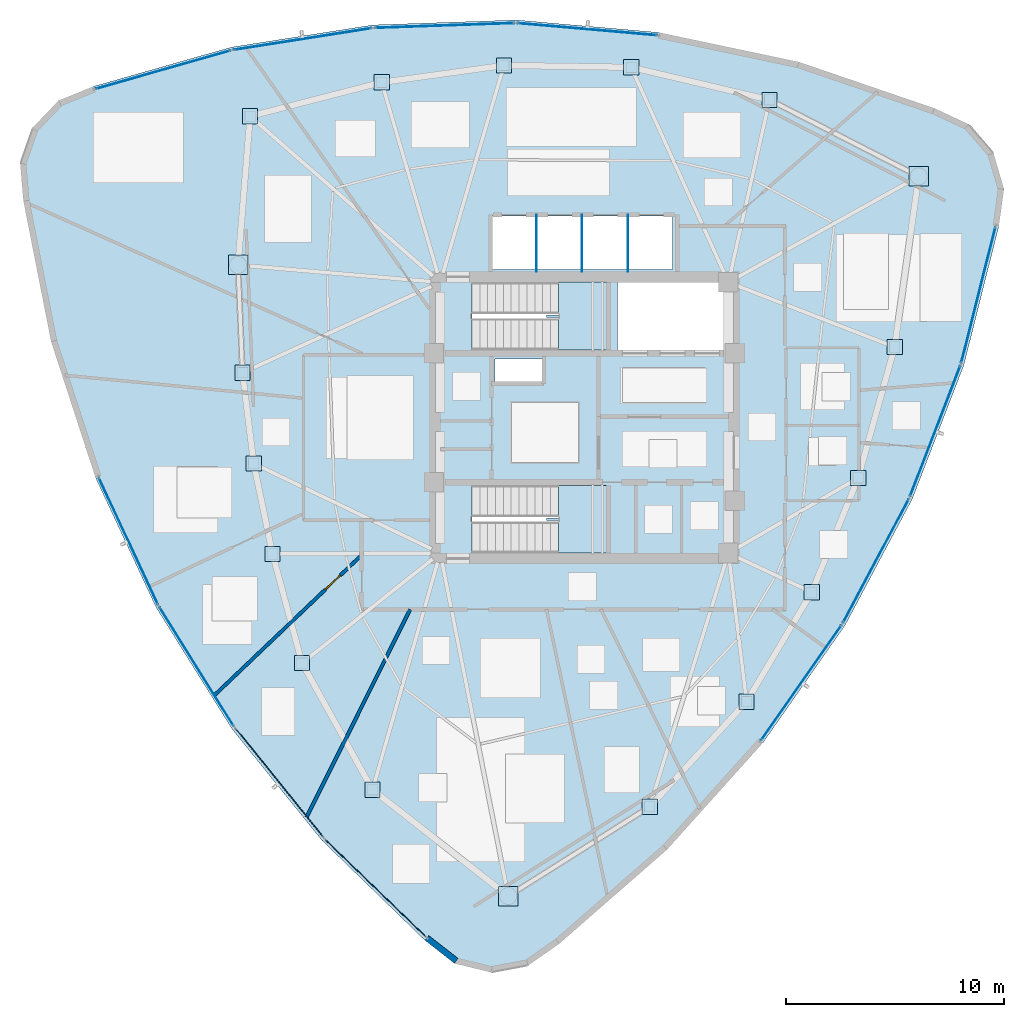
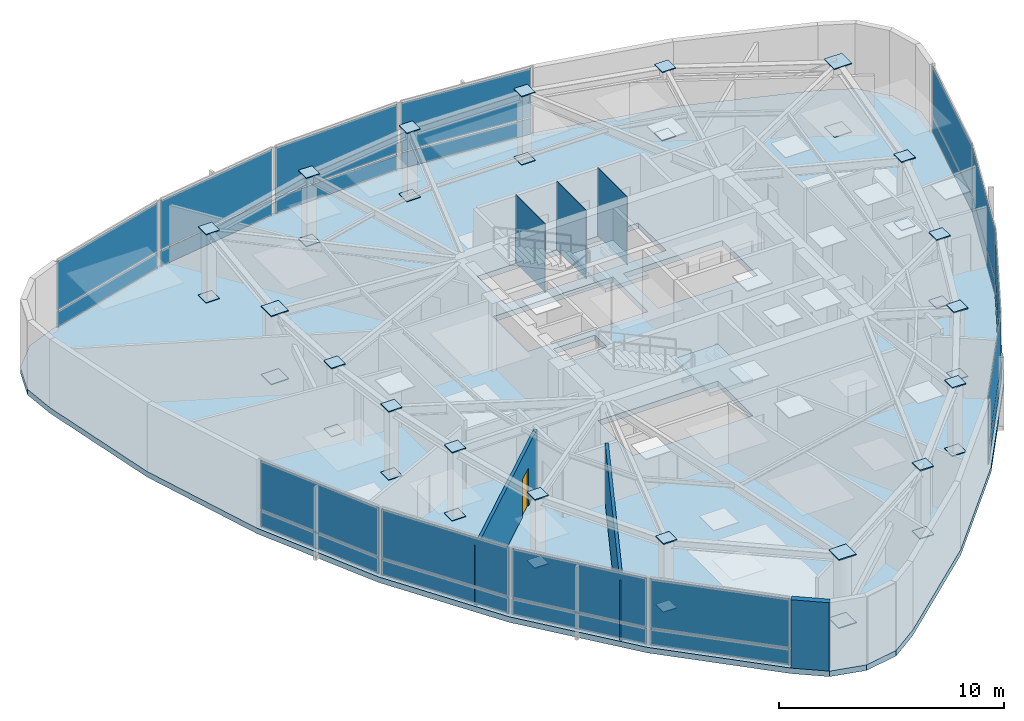
# One storey, part 7 of 12: 63 plates, 3 slabs, 3 walls, 1 door, 1 opening, 14 elements without a shape of their own.
"""IFC4 building model written with IfcOpenShell, lengths in metres."""

from ifc_helpers import new_model, si_unit, direction, frame, frame_2d, origin, origin_2d, place, context, subcontext, project, spatial, polyline, rectangle, outline, extrude, source, transform, mapped, material, layer, layer_set, type_object, type_shapes, element, fill, aggregate, save


model = new_model("IFC4")

# Units and contexts
model_context = context("Model", 3, precision=1e-05, world=origin(), true_north=direction((0.0, 1.0)))
body_context = subcontext(model_context, "Body", "Model", "MODEL_VIEW")
ifc_project = project(units=[si_unit("LENGTHUNIT", "METRE"), si_unit("AREAUNIT", "SQUARE_METRE"), si_unit("VOLUMEUNIT", "CUBIC_METRE"), si_unit("PLANEANGLEUNIT", "RADIAN"), si_unit("MASSUNIT", "GRAM", prefix="KILO")], contexts=[model_context])

# Site, building, storey
site_placement = place(None, origin())
site = spatial("IfcSite", under=ifc_project, at=site_placement, CompositionType="ELEMENT")
building_placement = place(site_placement, origin())
building = spatial("IfcBuilding", under=site, at=building_placement, Name="Tavelor Broadcast Tower", CompositionType="ELEMENT")
storey_placement = place(building_placement, frame((0.0, 0.0, 289.5)))
storey = spatial("IfcBuildingStorey", under=building, at=storey_placement, Name="L69", CompositionType="ELEMENT", Elevation=289.5)

# Stair, slab
ifc_material_1 = material(Name="Concrete C40/50", Category="concrete")
stair_type = type_object("IfcStairType", Name="Reinforced Concrete Protected Dogleg Stair 1450 mm", PredefinedType="HALF_TURN_STAIR", material=ifc_material_1)
stair_1_placement = place(storey_placement, origin())
stair_1 = element("IfcStair", 1, at=stair_1_placement, inside=storey, type_object=stair_type, Name="L69 Protected Core Exit Stair ST1", PredefinedType="HALF_TURN_STAIR")
ifc_layer_1 = layer(ifc_material_1, 0.199951171875)
ifc_layer_set_1 = layer_set([ifc_layer_1], Name="Concrete C40/50")
slab_type_1 = type_object("IfcSlabType", Name="Reinforced Concrete Stair Half-Landing Slab 200 mm", PredefinedType="LANDING", material=ifc_layer_set_1)
slab_1_placement = place(storey_placement, frame((0.0, 0.0, 1.800048828125)))
slab_1 = element("IfcSlab", 2, at=slab_1_placement, type_object=slab_type_1, Name="ST1 landing 1", PredefinedType="LANDING", context=body_context, shape_type="SweptSolid", body=[
    extrude(outline(polyline([(48.804931640625, 49.590087890625), (48.804931640625, 48.094970703125), (51.0048828125, 48.094970703125), (51.0048828125, 51.205078125), (48.804931640625, 51.205078125), (48.804931640625, 49.7099609375), (48.264892578125, 49.7099609375), (48.264892578125, 49.590087890625), (48.804931640625, 49.590087890625)])), origin(), (0.0, 0.0, 1.0), 0.199951171875),
])
aggregate(stair_1, [slab_1])

stair_2_placement = place(storey_placement, origin())
stair_2 = element("IfcStair", 3, at=stair_2_placement, inside=storey, type_object=stair_type, Name="L69 Protected Core Exit Stair ST2", PredefinedType="HALF_TURN_STAIR")
slab_2_placement = place(storey_placement, frame((0.0, 0.0, 1.800048828125)))
slab_2 = element("IfcSlab", 4, at=slab_2_placement, type_object=slab_type_1, Name="ST2 landing 1", PredefinedType="LANDING", context=body_context, shape_type="SweptSolid", body=[
    extrude(outline(polyline([(48.804931640625, 40.2900390625), (48.804931640625, 38.794921875), (51.0048828125, 38.794921875), (51.0048828125, 41.905029296875), (48.804931640625, 41.905029296875), (48.804931640625, 40.409912109375), (48.264892578125, 40.409912109375), (48.264892578125, 40.2900390625), (48.804931640625, 40.2900390625)])), origin(), (0.0, 0.0, 1.0), 0.199951171875),
])
aggregate(stair_2, [slab_2])

# Slab
ifc_layer_2 = layer(ifc_material_1, 0.300048828125)
ifc_layer_set_2 = layer_set([ifc_layer_2], Name="Concrete C40/50")
slab_type_2 = type_object("IfcSlabType", Name="Tower Composite Floor Slab 300 mm", PredefinedType="FLOOR", material=ifc_layer_set_2)
slab_3_placement = place(storey_placement, frame((0.0, 0.0, -0.300048828125)))
element("IfcSlab", 5, at=slab_3_placement, inside=storey, type_object=slab_type_2, Name="L69 Structural Floor Slab", PredefinedType="FLOOR", context=body_context, shape_type="SweptSolid", body=[
    extrude(outline(polyline([(27.515625, 60.177001953125), (25.9169921875, 59.529541015625), (24.7265625, 58.281494140625), (24.155029296875, 56.654296875), (24.3037109375, 54.935791015625), (25.5703125, 48.494140625), (27.607177734375, 42.2529296875), (30.38427734375, 36.30419921875), (33.86083984375, 30.735107421875), (37.98583984375, 25.627685546875), (42.698486328125, 21.05712890625), (44.05859375, 19.996337890625), (45.734619140625, 19.58935546875), (47.4296875, 19.908203125), (48.843505859375, 20.896240234375), (53.788818359375, 25.214111328125), (58.17529296875, 30.098388671875), (61.938720703125, 35.477783203125), (65.023193359375, 41.273193359375), (67.3837890625, 47.399169921875), (68.98583984375, 53.765869140625), (69.224365234375, 55.47412109375), (68.739013671875, 57.12890625), (67.615234375, 58.4375), (66.052734375, 59.16796875), (59.8408203125, 61.2919921875), (53.41748046875, 62.6484375), (46.877197265625, 63.218017578125), (40.31591796875, 62.99169921875), (33.830322265625, 61.972900390625), (27.515625, 60.177001953125)]), holes=[polyline([(50.99609375, 41.89599609375), (50.99609375, 38.803955078125), (44.85400390625, 38.803955078125), (44.85400390625, 41.89599609375), (50.99609375, 41.89599609375)]), polyline([(48.050048828125, 47.699951171875), (48.050048828125, 46.64990234375), (45.89990234375, 46.64990234375), (45.89990234375, 47.699951171875), (48.050048828125, 47.699951171875)]), polyline([(50.99609375, 51.196044921875), (50.99609375, 48.10400390625), (44.85400390625, 48.10400390625), (44.85400390625, 51.196044921875), (50.99609375, 51.196044921875)]), polyline([(56.60009765625, 48.10009765625), (51.52001953125, 48.10009765625), (51.52001953125, 51.199951171875), (56.60009765625, 51.199951171875), (56.60009765625, 48.10009765625)]), polyline([(54.050048828125, 51.800048828125), (45.800048828125, 51.800048828125), (45.800048828125, 54.25), (54.050048828125, 54.25), (54.050048828125, 51.800048828125)])]), origin(), (0.0, 0.0, 1.0), 0.300048828125),
])

# Plates
ifc_material_2 = material(Name="Steel S460", Category="steel")
ifc_layer_3 = layer(ifc_material_2, 0.050048828125)
ifc_layer_set_3 = layer_set([ifc_layer_3], Name="Steel S460")
plate_type_1 = type_object("IfcPlateType", Name="Tube Hollow-End Cap Plate KN05 700x700x50", PredefinedType="USERDEFINED", material=ifc_layer_set_3)
shared_shape_1 = source(origin(), body_context, "Body", "SweptSolid", [
    extrude(rectangle(XDim=0.699951171875, YDim=0.699951171875, at=origin_2d()), origin(), (0.0, 0.0, 1.0), 0.054931640625),
])
for number, where, z_axis, x_axis, name in (
    (6, (34.341552734375, 47.061279296875, -0.02734375), (0.0, 0.0, 1.0), (1.0, 0.0, 0.0), "L69 Hollow End Cap Plate KN05 #2067"),
    (7, (34.341552734375, 47.061279296875, 3.67236328125), (0.0, 0.0, 1.0), (1.0, 0.0, 0.0), "L69 Hollow End Cap Plate KN05 #2068"),
    (8, (34.85400390625, 42.90185546875, -0.02734375), (0.0, 0.0, 1.0), (1.0, 0.0, 0.0), "L69 Hollow End Cap Plate KN05 #2069"),
    (9, (34.85400390625, 42.90185546875, 3.67236328125), (0.0, 0.0, 1.0), (1.0, 0.0, 0.0), "L69 Hollow End Cap Plate KN05 #2070"),
    (10, (35.716552734375, 38.757080078125, -0.02734375), (0.0, 0.0, 1.0), (1.0, 0.0, 0.0), "L69 Hollow End Cap Plate KN05 #2071"),
    (11, (35.716552734375, 38.757080078125, 3.67236328125), (0.0, 0.0, 1.0), (1.0, 0.0, 0.0), "L69 Hollow End Cap Plate KN05 #2072"),
    (12, (37.068115234375, 33.759521484375, -0.02734375), (0.0, 0.0, 1.0), (1.0, 0.0, 0.0), "L69 Hollow End Cap Plate KN05 #2073"),
    (13, (37.068115234375, 33.759521484375, 3.67236328125), (0.0, 0.0, 1.0), (1.0, 0.0, 0.0), "L69 Hollow End Cap Plate KN05 #2074"),
    (14, (40.29638671875, 27.95361328125, -0.02734375), (0.0, 0.0, 1.0), (1.0, 0.0, 0.0), "L69 Hollow End Cap Plate KN05 #2075"),
    (15, (40.29638671875, 27.95361328125, 3.67236328125), (0.0, 0.0, 1.0), (1.0, 0.0, 0.0), "L69 Hollow End Cap Plate KN05 #2076"),
    (16, (52.992919921875, 27.1767578125, -0.02734375), (0.0, 0.0, 1.0), (1.0, 0.0, 0.0), "L69 Hollow End Cap Plate KN05 #2079"),
    (17, (52.992919921875, 27.1767578125, 3.67236328125), (0.0, 0.0, 1.0), (1.0, 0.0, 0.0), "L69 Hollow End Cap Plate KN05 #2080"),
    (18, (57.431396484375, 31.9921875, -0.02734375), (0.0, 0.0, 1.0), (1.0, 0.0, 0.0), "L69 Hollow End Cap Plate KN05 #2081"),
    (19, (57.431396484375, 31.9921875, 3.67236328125), (0.0, 0.0, 1.0), (1.0, 0.0, 0.0), "L69 Hollow End Cap Plate KN05 #2082"),
    (20, (60.41748046875, 37.00439453125, -0.02734375), (0.0, 0.0, 1.0), (1.0, 0.0, 0.0), "L69 Hollow End Cap Plate KN05 #2083"),
    (21, (60.41748046875, 37.00439453125, 3.67236328125), (0.0, 0.0, 1.0), (1.0, 0.0, 0.0), "L69 Hollow End Cap Plate KN05 #2084"),
    (22, (62.543701171875, 42.240478515625, -0.02734375), (0.0, 0.0, 1.0), (1.0, 0.0, 0.0), "L69 Hollow End Cap Plate KN05 #2085"),
    (23, (62.543701171875, 42.240478515625, 3.67236328125), (0.0, 0.0, 1.0), (1.0, 0.0, 0.0), "L69 Hollow End Cap Plate KN05 #2086"),
    (24, (64.21435546875, 48.2373046875, -0.02734375), (0.0, 0.0, 1.0), (1.0, 0.0, 0.0), "L69 Hollow End Cap Plate KN05 #2087"),
    (25, (64.21435546875, 48.2373046875, 3.67236328125), (0.0, 0.0, 1.0), (1.0, 0.0, 0.0), "L69 Hollow End Cap Plate KN05 #2088"),
    (26, (58.485595703125, 59.55712890625, -0.02734375), (0.0, 0.0, 1.0), (1.0, 0.0, 0.0), "L69 Hollow End Cap Plate KN05 #2091"),
    (27, (58.485595703125, 59.55712890625, 3.67236328125), (0.0, 0.0, 1.0), (1.0, 0.0, 0.0), "L69 Hollow End Cap Plate KN05 #2092"),
    (28, (52.147216796875, 61.05078125, -0.02734375), (0.0, 0.0, 1.0), (1.0, 0.0, 0.0), "L69 Hollow End Cap Plate KN05 #2093"),
    (29, (52.147216796875, 61.05078125, 3.67236328125), (0.0, 0.0, 1.0), (1.0, 0.0, 0.0), "L69 Hollow End Cap Plate KN05 #2094"),
    (30, (46.3154296875, 61.13720703125, -0.02734375), (0.0, 0.0, 1.0), (1.0, 0.0, 0.0), "L69 Hollow End Cap Plate KN05 #2095"),
    (31, (46.3154296875, 61.13720703125, 3.67236328125), (0.0, 0.0, 1.0), (1.0, 0.0, 0.0), "L69 Hollow End Cap Plate KN05 #2096"),
    (32, (40.718017578125, 60.36083984375, -0.02734375), (0.0, 0.0, 1.0), (1.0, 0.0, 0.0), "L69 Hollow End Cap Plate KN05 #2097"),
    (33, (40.718017578125, 60.36083984375, 3.67236328125), (0.0, 0.0, 1.0), (1.0, 0.0, 0.0), "L69 Hollow End Cap Plate KN05 #2098"),
    (34, (34.689208984375, 58.80908203125, -0.02734375), (0.0, 0.0, 1.0), (1.0, 0.0, 0.0), "L69 Hollow End Cap Plate KN05 #2099"),
    (35, (34.689208984375, 58.80908203125, 3.67236328125), (0.0, 0.0, 1.0), (1.0, 0.0, 0.0), "L69 Hollow End Cap Plate KN05 #2100"),
):
    element("IfcPlate", number, at=place(storey_placement, frame(where, z_axis=z_axis, x_axis=x_axis)), inside=storey, type_object=plate_type_1, Name=name, ObjectType="CAP PLATE", PredefinedType="USERDEFINED", context=body_context, shape_type="MappedRepresentation", body=[
        mapped(shared_shape_1, transform((0.0, 0.0, 0.0), scale=1.0)),
    ])
shared_shape_2 = source(origin(), body_context, "Body", "SweptSolid", [
    extrude(rectangle(XDim=0.89306640625, YDim=0.89306640625, at=origin_2d()), origin(), (0.0, 0.0, 1.0), 0.054931640625),
])
type_shapes(plate_type_1, [shared_shape_1, shared_shape_2])
for number, where, z_axis, x_axis, name in (
    (36, (34.134765625, 51.995849609375, -0.02734375), (0.0, 0.0, 1.0), (1.0, 0.0, 0.0), "L69 Hollow End Cap Plate KN05 #2065"),
    (37, (34.134765625, 51.995849609375, 3.67236328125), (0.0, 0.0, 1.0), (1.0, 0.0, 0.0), "L69 Hollow End Cap Plate KN05 #2066"),
    (38, (46.5146484375, 23.08740234375, -0.02734375), (0.0, 0.0, 1.0), (1.0, 0.0, 0.0), "L69 Hollow End Cap Plate KN05 #2077"),
    (39, (46.5146484375, 23.08740234375, 3.67236328125), (0.0, 0.0, 1.0), (1.0, 0.0, 0.0), "L69 Hollow End Cap Plate KN05 #2078"),
    (40, (65.319580078125, 56.0556640625, -0.02734375), (0.0, 0.0, 1.0), (1.0, 0.0, 0.0), "L69 Hollow End Cap Plate KN05 #2089"),
    (41, (65.319580078125, 56.0556640625, 3.67236328125), (0.0, 0.0, 1.0), (1.0, 0.0, 0.0), "L69 Hollow End Cap Plate KN05 #2090"),
):
    element("IfcPlate", number, at=place(storey_placement, frame(where, z_axis=z_axis, x_axis=x_axis)), inside=storey, type_object=plate_type_1, Name=name, ObjectType="CAP PLATE", PredefinedType="USERDEFINED", context=body_context, shape_type="MappedRepresentation", body=[
        mapped(shared_shape_2, transform((0.0, 0.0, 0.0), scale=1.0)),
    ])
ifc_material_3 = material(Name="Steel S355", Category="steel")
ifc_layer_4 = layer(ifc_material_3, 0.011962890625)
ifc_layer_set_4 = layer_set([ifc_layer_4], Name="Steel S355")
plate_type_2 = type_object("IfcPlateType", Name="Hoistway Steel Separator Screen 12 mm", PredefinedType="SHEET", material=ifc_layer_set_4)
shared_shape_3 = source(origin(), body_context, "Body", "SweptSolid", [
    extrude(rectangle(XDim=0.02001953125, YDim=2.6201171875, at=origin_2d()), origin(), (0.0, 0.0, 1.0), 3.699951171875),
])
type_shapes(plate_type_2, [shared_shape_3])
for number, where, z_axis, x_axis, name in (
    (42, (47.800048828125, 52.989990234375, 0.0), (0.0, 0.0, 1.0), (1.0, 0.0, 0.0), "L69 High-Rise Hoistway Separator Screen 1"),
    (43, (49.89990234375, 52.989990234375, 0.0), (0.0, 0.0, 1.0), (1.0, 0.0, 0.0), "L69 High-Rise Hoistway Separator Screen 2"),
    (44, (52.0, 52.989990234375, 0.0), (0.0, 0.0, 1.0), (1.0, 0.0, 0.0), "L69 High-Rise Hoistway Separator Screen 3"),
):
    element("IfcPlate", number, at=place(storey_placement, frame(where, z_axis=z_axis, x_axis=x_axis)), inside=storey, type_object=plate_type_2, Name=name, PredefinedType="SHEET", context=body_context, shape_type="MappedRepresentation", body=[
        mapped(shared_shape_3, transform((0.0, 0.0, 0.0), scale=1.0)),
    ])

# Curtain wall, plate
ifc_material_4 = material(Name="Architectural Anodized Aluminium", Category="aluminium")
ifc_layer_5 = layer(ifc_material_4, 0.199951171875)
ifc_layer_set_5 = layer_set([ifc_layer_5], Name="Architectural Anodized Aluminium")
curtain_wall_type = type_object("IfcCurtainWallType", Name="Tower High-Zone Triple-Glazed Curtain Wall CW04", PredefinedType="NOTDEFINED", material=ifc_layer_set_5)
curtain_wall_1_placement = place(storey_placement, origin())
curtain_wall_1 = element("IfcCurtainWall", 45, at=curtain_wall_1_placement, inside=storey, type_object=curtain_wall_type, Name="L69 Curtain Wall CW04 Run 757", PredefinedType="NOTDEFINED")
ifc_material_5 = material(Name="High-Altitude Triple Glazing 36 mm", Category="glass")
ifc_layer_6 = layer(ifc_material_5, 0.035888671875)
ifc_layer_set_6 = layer_set([ifc_layer_6], Name="High-Altitude Triple Glazing 36 mm")
plate_type_3 = type_object("IfcPlateType", Name="CW04 Insulated Vision Glazing Panel 36 mm", PredefinedType="CURTAIN_PANEL", material=ifc_layer_set_6)
shared_shape_4 = source(origin(), body_context, "Body", "SweptSolid", [
    extrude(rectangle(XDim=6.39306640625, YDim=0.035888671875, at=origin_2d()), origin(), (0.0, 0.0, 1.0), 0.844970703125),
])
plate_1_placement = place(storey_placement, frame((29.119384765625, 39.344482421875, 0.06982421875), z_axis=(0.0, 0.0, 1.0), x_axis=(0.423001938354, -0.906128776802, 0.0)))
plate_1 = element("IfcPlate", 46, at=plate_1_placement, type_object=plate_type_3, Name="CW04 panel 1.1", PredefinedType="CURTAIN_PANEL", context=body_context, shape_type="MappedRepresentation", body=[
    mapped(shared_shape_4, transform((0.0, 0.0, 0.0), scale=1.0)),
])

curtain_wall_2_placement = place(storey_placement, origin())
curtain_wall_2 = element("IfcCurtainWall", 47, at=curtain_wall_2_placement, inside=storey, type_object=curtain_wall_type, Name="L69 Curtain Wall CW04 Run 761", PredefinedType="NOTDEFINED")
plate_2_placement = place(storey_placement, frame((59.93798828125, 32.8623046875, 0.06982421875), z_axis=(0.0, 0.0, 1.0), x_axis=(0.573211654689, 0.819407346152, 0.0)))
plate_2 = element("IfcPlate", 48, at=plate_2_placement, type_object=plate_type_3, Name="CW04 panel 1.1", PredefinedType="CURTAIN_PANEL", context=body_context, shape_type="MappedRepresentation", body=[
    mapped(shared_shape_4, transform((0.0, 0.0, 0.0), scale=1.0)),
])

curtain_wall_3_placement = place(storey_placement, origin())
curtain_wall_3 = element("IfcCurtainWall", 49, at=curtain_wall_3_placement, inside=storey, type_object=curtain_wall_type, Name="L69 Curtain Wall CW04 Run 765", PredefinedType="NOTDEFINED")
plate_3_placement = place(storey_placement, frame((50.142578125, 62.793212890625, 0.06982421875), z_axis=(0.0, 0.0, 1.0), x_axis=(-0.996231967773, 0.086728694143, 0.0)))
plate_3 = element("IfcPlate", 50, at=plate_3_placement, type_object=plate_type_3, Name="CW04 panel 1.1", PredefinedType="CURTAIN_PANEL", context=body_context, shape_type="MappedRepresentation", body=[
    mapped(shared_shape_4, transform((0.0, 0.0, 0.0), scale=1.0)),
])

# Plate
shared_shape_5 = source(origin(), body_context, "Body", "SweptSolid", [
    extrude(rectangle(XDim=6.39306640625, YDim=0.035888671875, at=origin_2d()), origin(), (0.0, 0.0, 1.0), 2.64501953125),
])
plate_4_placement = place(storey_placement, frame((29.119384765625, 39.344482421875, 0.985107421875), z_axis=(0.0, 0.0, 1.0), x_axis=(0.423001938354, -0.906128776802, 0.0)))
plate_4 = element("IfcPlate", 51, at=plate_4_placement, type_object=plate_type_3, Name="CW04 panel 1.2", PredefinedType="CURTAIN_PANEL", context=body_context, shape_type="MappedRepresentation", body=[
    mapped(shared_shape_5, transform((0.0, 0.0, 0.0), scale=1.0)),
])

aggregate(curtain_wall_1, [plate_1, plate_4])

plate_5_placement = place(storey_placement, frame((59.93798828125, 32.8623046875, 0.985107421875), z_axis=(0.0, 0.0, 1.0), x_axis=(0.573211654689, 0.819407346152, 0.0)))
plate_5 = element("IfcPlate", 52, at=plate_5_placement, type_object=plate_type_3, Name="CW04 panel 1.2", PredefinedType="CURTAIN_PANEL", context=body_context, shape_type="MappedRepresentation", body=[
    mapped(shared_shape_5, transform((0.0, 0.0, 0.0), scale=1.0)),
])

aggregate(curtain_wall_2, [plate_2, plate_5])

plate_6_placement = place(storey_placement, frame((50.142578125, 62.793212890625, 0.985107421875), z_axis=(0.0, 0.0, 1.0), x_axis=(-0.996231967773, 0.086728694143, 0.0)))
plate_6 = element("IfcPlate", 53, at=plate_6_placement, type_object=plate_type_3, Name="CW04 panel 1.2", PredefinedType="CURTAIN_PANEL", context=body_context, shape_type="MappedRepresentation", body=[
    mapped(shared_shape_5, transform((0.0, 0.0, 0.0), scale=1.0)),
])

aggregate(curtain_wall_3, [plate_3, plate_6])

# Curtain wall, plate
curtain_wall_4_placement = place(storey_placement, origin())
curtain_wall_4 = element("IfcCurtainWall", 54, at=curtain_wall_4_placement, inside=storey, type_object=curtain_wall_type, Name="L69 Curtain Wall CW04 Run 758", PredefinedType="NOTDEFINED")
shared_shape_6 = source(origin(), body_context, "Body", "SweptSolid", [
    extrude(rectangle(XDim=6.378173828125, YDim=0.035888671875, at=origin_2d()), origin(), (0.0, 0.0, 1.0), 0.844970703125),
])
plate_7_placement = place(storey_placement, frame((32.241455078125, 33.59375, 0.06982421875), z_axis=(0.0, 0.0, 1.0), x_axis=(0.529558950485, -0.848273138771, 0.0)))
plate_7 = element("IfcPlate", 55, at=plate_7_placement, type_object=plate_type_3, Name="CW04 panel 1.1", PredefinedType="CURTAIN_PANEL", context=body_context, shape_type="MappedRepresentation", body=[
    mapped(shared_shape_6, transform((0.0, 0.0, 0.0), scale=1.0)),
])

curtain_wall_5_placement = place(storey_placement, origin())
curtain_wall_5 = element("IfcCurtainWall", 56, at=curtain_wall_5_placement, inside=storey, type_object=curtain_wall_type, Name="L69 Curtain Wall CW04 Run 759", PredefinedType="NOTDEFINED")
plate_8_placement = place(storey_placement, frame((36.0322265625, 28.26953125, 0.06982421875), z_axis=(0.0, 0.0, 1.0), x_axis=(0.628297467266, -0.777973195314, 0.0)))
plate_8 = element("IfcPlate", 57, at=plate_8_placement, type_object=plate_type_3, Name="CW04 panel 1.1", PredefinedType="CURTAIN_PANEL", context=body_context, shape_type="MappedRepresentation", body=[
    mapped(shared_shape_6, transform((0.0, 0.0, 0.0), scale=1.0)),
])

curtain_wall_6_placement = place(storey_placement, origin())
curtain_wall_6 = element("IfcCurtainWall", 58, at=curtain_wall_6_placement, inside=storey, type_object=curtain_wall_type, Name="L69 Curtain Wall CW04 Run 762", PredefinedType="NOTDEFINED")
plate_9_placement = place(storey_placement, frame((63.357421875, 38.44140625, 0.06982421875), z_axis=(0.0, 0.0, 1.0), x_axis=(0.469860265153, 0.88274080637, 0.0)))
plate_9 = element("IfcPlate", 59, at=plate_9_placement, type_object=plate_type_3, Name="CW04 panel 1.1", PredefinedType="CURTAIN_PANEL", context=body_context, shape_type="MappedRepresentation", body=[
    mapped(shared_shape_6, transform((0.0, 0.0, 0.0), scale=1.0)),
])

curtain_wall_7_placement = place(storey_placement, origin())
curtain_wall_7 = element("IfcCurtainWall", 60, at=curtain_wall_7_placement, inside=storey, type_object=curtain_wall_type, Name="L69 Curtain Wall CW04 Run 766", PredefinedType="NOTDEFINED")
plate_10_placement = place(storey_placement, frame((43.601318359375, 62.96484375, 0.06982421875), z_axis=(0.0, 0.0, 1.0), x_axis=(-0.999405616654, -0.034473372331, 0.0)))
plate_10 = element("IfcPlate", 61, at=plate_10_placement, type_object=plate_type_3, Name="CW04 panel 1.1", PredefinedType="CURTAIN_PANEL", context=body_context, shape_type="MappedRepresentation", body=[
    mapped(shared_shape_6, transform((0.0, 0.0, 0.0), scale=1.0)),
])

curtain_wall_8_placement = place(storey_placement, origin())
curtain_wall_8 = element("IfcCurtainWall", 62, at=curtain_wall_8_placement, inside=storey, type_object=curtain_wall_type, Name="L69 Curtain Wall CW04 Run 767", PredefinedType="NOTDEFINED")
plate_11_placement = place(storey_placement, frame((37.0947265625, 62.343994140625, 0.06982421875), z_axis=(0.0, 0.0, 1.0), x_axis=(-0.987890633222, -0.155151850756, 0.0)))
plate_11 = element("IfcPlate", 63, at=plate_11_placement, type_object=plate_type_3, Name="CW04 panel 1.1", PredefinedType="CURTAIN_PANEL", context=body_context, shape_type="MappedRepresentation", body=[
    mapped(shared_shape_6, transform((0.0, 0.0, 0.0), scale=1.0)),
])

# Plate
shared_shape_7 = source(origin(), body_context, "Body", "SweptSolid", [
    extrude(rectangle(XDim=6.378173828125, YDim=0.035888671875, at=origin_2d()), origin(), (0.0, 0.0, 1.0), 2.64501953125),
])
plate_12_placement = place(storey_placement, frame((32.241455078125, 33.59375, 0.985107421875), z_axis=(0.0, 0.0, 1.0), x_axis=(0.529558950485, -0.848273138771, 0.0)))
plate_12 = element("IfcPlate", 64, at=plate_12_placement, type_object=plate_type_3, Name="CW04 panel 1.2", PredefinedType="CURTAIN_PANEL", context=body_context, shape_type="MappedRepresentation", body=[
    mapped(shared_shape_7, transform((0.0, 0.0, 0.0), scale=1.0)),
])

aggregate(curtain_wall_4, [plate_7, plate_12])

plate_13_placement = place(storey_placement, frame((36.0322265625, 28.26953125, 0.985107421875), z_axis=(0.0, 0.0, 1.0), x_axis=(0.628297467266, -0.777973195314, 0.0)))
plate_13 = element("IfcPlate", 65, at=plate_13_placement, type_object=plate_type_3, Name="CW04 panel 1.2", PredefinedType="CURTAIN_PANEL", context=body_context, shape_type="MappedRepresentation", body=[
    mapped(shared_shape_7, transform((0.0, 0.0, 0.0), scale=1.0)),
])

aggregate(curtain_wall_5, [plate_8, plate_13])

plate_14_placement = place(storey_placement, frame((63.357421875, 38.44140625, 0.985107421875), z_axis=(0.0, 0.0, 1.0), x_axis=(0.469860265153, 0.88274080637, 0.0)))
plate_14 = element("IfcPlate", 66, at=plate_14_placement, type_object=plate_type_3, Name="CW04 panel 1.2", PredefinedType="CURTAIN_PANEL", context=body_context, shape_type="MappedRepresentation", body=[
    mapped(shared_shape_7, transform((0.0, 0.0, 0.0), scale=1.0)),
])

aggregate(curtain_wall_6, [plate_9, plate_14])

plate_15_placement = place(storey_placement, frame((43.601318359375, 62.96484375, 0.985107421875), z_axis=(0.0, 0.0, 1.0), x_axis=(-0.999405616654, -0.034473372331, 0.0)))
plate_15 = element("IfcPlate", 67, at=plate_15_placement, type_object=plate_type_3, Name="CW04 panel 1.2", PredefinedType="CURTAIN_PANEL", context=body_context, shape_type="MappedRepresentation", body=[
    mapped(shared_shape_7, transform((0.0, 0.0, 0.0), scale=1.0)),
])

aggregate(curtain_wall_7, [plate_10, plate_15])

plate_16_placement = place(storey_placement, frame((37.0947265625, 62.343994140625, 0.985107421875), z_axis=(0.0, 0.0, 1.0), x_axis=(-0.987890633222, -0.155151850756, 0.0)))
plate_16 = element("IfcPlate", 68, at=plate_16_placement, type_object=plate_type_3, Name="CW04 panel 1.2", PredefinedType="CURTAIN_PANEL", context=body_context, shape_type="MappedRepresentation", body=[
    mapped(shared_shape_7, transform((0.0, 0.0, 0.0), scale=1.0)),
])

aggregate(curtain_wall_8, [plate_11, plate_16])

# Curtain wall, plate
curtain_wall_9_placement = place(storey_placement, origin())
curtain_wall_9 = element("IfcCurtainWall", 69, at=curtain_wall_9_placement, inside=storey, type_object=curtain_wall_type, Name="L69 Curtain Wall CW04 Run 760", PredefinedType="NOTDEFINED")
shared_shape_8 = source(origin(), body_context, "Body", "SweptSolid", [
    extrude(rectangle(XDim=6.39404296875, YDim=0.035888671875, at=origin_2d()), origin(), (0.0, 0.0, 1.0), 0.844970703125),
])
plate_17_placement = place(storey_placement, frame((40.4453125, 23.4375, 0.06982421875), z_axis=(0.0, 0.0, 1.0), x_axis=(0.717851719006, -0.696196028084, 0.0)))
plate_17 = element("IfcPlate", 70, at=plate_17_placement, type_object=plate_type_3, Name="CW04 panel 1.1", PredefinedType="CURTAIN_PANEL", context=body_context, shape_type="MappedRepresentation", body=[
    mapped(shared_shape_8, transform((0.0, 0.0, 0.0), scale=1.0)),
])

curtain_wall_10_placement = place(storey_placement, origin())
curtain_wall_10 = element("IfcCurtainWall", 71, at=curtain_wall_10_placement, inside=storey, type_object=curtain_wall_type, Name="L69 Curtain Wall CW04 Run 768", PredefinedType="NOTDEFINED")
plate_18_placement = place(storey_placement, frame((30.70361328125, 60.938232421875, 0.06982421875), z_axis=(0.0, 0.0, 1.0), x_axis=(-0.961853022139, -0.273566744694, 0.0)))
plate_18 = element("IfcPlate", 72, at=plate_18_placement, type_object=plate_type_3, Name="CW04 panel 1.1", PredefinedType="CURTAIN_PANEL", context=body_context, shape_type="MappedRepresentation", body=[
    mapped(shared_shape_8, transform((0.0, 0.0, 0.0), scale=1.0)),
])

# Plate
shared_shape_9 = source(origin(), body_context, "Body", "SweptSolid", [
    extrude(rectangle(XDim=6.39404296875, YDim=0.035888671875, at=origin_2d()), origin(), (0.0, 0.0, 1.0), 2.64501953125),
])
plate_19_placement = place(storey_placement, frame((40.4453125, 23.4375, 0.985107421875), z_axis=(0.0, 0.0, 1.0), x_axis=(0.717851719006, -0.696196028084, 0.0)))
plate_19 = element("IfcPlate", 73, at=plate_19_placement, type_object=plate_type_3, Name="CW04 panel 1.2", PredefinedType="CURTAIN_PANEL", context=body_context, shape_type="MappedRepresentation", body=[
    mapped(shared_shape_9, transform((0.0, 0.0, 0.0), scale=1.0)),
])

aggregate(curtain_wall_9, [plate_17, plate_19])

plate_20_placement = place(storey_placement, frame((30.70361328125, 60.938232421875, 0.985107421875), z_axis=(0.0, 0.0, 1.0), x_axis=(-0.961853022139, -0.273566744694, 0.0)))
plate_20 = element("IfcPlate", 74, at=plate_20_placement, type_object=plate_type_3, Name="CW04 panel 1.2", PredefinedType="CURTAIN_PANEL", context=body_context, shape_type="MappedRepresentation", body=[
    mapped(shared_shape_9, transform((0.0, 0.0, 0.0), scale=1.0)),
])

aggregate(curtain_wall_10, [plate_18, plate_20])

# Curtain wall, plates
curtain_wall_11_placement = place(storey_placement, origin())
curtain_wall_11 = element("IfcCurtainWall", 75, at=curtain_wall_11_placement, inside=storey, type_object=curtain_wall_type, Name="L69 Curtain Wall CW04 Run 763", PredefinedType="NOTDEFINED")
shared_shape_10 = source(origin(), body_context, "Body", "SweptSolid", [
    extrude(rectangle(XDim=6.3779296875, YDim=0.035888671875, at=origin_2d()), origin(), (0.0, 0.0, 1.0), 0.844970703125),
])
plate_21_placement = place(storey_placement, frame((66.072998046875, 44.386474609375, 0.06982421875), z_axis=(0.0, 0.0, 1.0), x_axis=(0.359571177818, 0.933117660364, 0.0)))
plate_21 = element("IfcPlate", 76, at=plate_21_placement, type_object=plate_type_3, Name="CW04 panel 1.1", PredefinedType="CURTAIN_PANEL", context=body_context, shape_type="MappedRepresentation", body=[
    mapped(shared_shape_10, transform((0.0, 0.0, 0.0), scale=1.0)),
])
shared_shape_11 = source(origin(), body_context, "Body", "SweptSolid", [
    extrude(rectangle(XDim=6.3779296875, YDim=0.035888671875, at=origin_2d()), origin(), (0.0, 0.0, 1.0), 2.64501953125),
])
plate_22_placement = place(storey_placement, frame((66.072998046875, 44.386474609375, 0.985107421875), z_axis=(0.0, 0.0, 1.0), x_axis=(0.359571177818, 0.933117660364, 0.0)))
plate_22 = element("IfcPlate", 77, at=plate_22_placement, type_object=plate_type_3, Name="CW04 panel 1.2", PredefinedType="CURTAIN_PANEL", context=body_context, shape_type="MappedRepresentation", body=[
    mapped(shared_shape_11, transform((0.0, 0.0, 0.0), scale=1.0)),
])
aggregate(curtain_wall_11, [plate_21, plate_22])

curtain_wall_12_placement = place(storey_placement, origin())
curtain_wall_12 = element("IfcCurtainWall", 78, at=curtain_wall_12_placement, inside=storey, type_object=curtain_wall_type, Name="L69 Curtain Wall CW04 Run 764", PredefinedType="NOTDEFINED")
shared_shape_12 = source(origin(), body_context, "Body", "SweptSolid", [
    extrude(rectangle(XDim=6.393798828125, YDim=0.035888671875, at=origin_2d()), origin(), (0.0, 0.0, 1.0), 0.844970703125),
])
plate_23_placement = place(storey_placement, frame((68.051025390625, 50.62451171875, 0.06982421875), z_axis=(0.0, 0.0, 1.0), x_axis=(0.244019002303, 0.969770450424, 0.0)))
plate_23 = element("IfcPlate", 79, at=plate_23_placement, type_object=plate_type_3, Name="CW04 panel 1.1", PredefinedType="CURTAIN_PANEL", context=body_context, shape_type="MappedRepresentation", body=[
    mapped(shared_shape_12, transform((0.0, 0.0, 0.0), scale=1.0)),
])
shared_shape_13 = source(origin(), body_context, "Body", "SweptSolid", [
    extrude(rectangle(XDim=6.393798828125, YDim=0.035888671875, at=origin_2d()), origin(), (0.0, 0.0, 1.0), 2.64501953125),
])
type_shapes(plate_type_3, [shared_shape_4, shared_shape_5, shared_shape_6, shared_shape_7, shared_shape_8, shared_shape_9, shared_shape_10, shared_shape_11, shared_shape_12, shared_shape_13])
plate_24_placement = place(storey_placement, frame((68.051025390625, 50.62451171875, 0.985107421875), z_axis=(0.0, 0.0, 1.0), x_axis=(0.244019002303, 0.969770450424, 0.0)))
plate_24 = element("IfcPlate", 80, at=plate_24_placement, type_object=plate_type_3, Name="CW04 panel 1.2", PredefinedType="CURTAIN_PANEL", context=body_context, shape_type="MappedRepresentation", body=[
    mapped(shared_shape_13, transform((0.0, 0.0, 0.0), scale=1.0)),
])
aggregate(curtain_wall_12, [plate_23, plate_24])

# Wall
ifc_material_6 = material(Name="Precast Concrete C40/50", Category="concrete")
ifc_layer_7 = layer(ifc_material_6, 0.280029296875)
ifc_layer_set_7 = layer_set([ifc_layer_7], Name="Precast Concrete C40/50")
wall_type_1 = type_object("IfcWallType", Name="Insulated Precast Terracotta Facade Wall 280 mm", PredefinedType="STANDARD", material=ifc_layer_set_7)
wall_1_placement = place(storey_placement, frame((42.787353515625, 21.165283203125, 0.0), z_axis=(0.0, 0.0, 1.0), x_axis=(0.788611938924, -0.614891217848, 0.0)))
element("IfcWall", 81, at=wall_1_placement, inside=storey, type_object=wall_type_1, Name="L69 Rounded Corner Structural Cladding Pier 11", PredefinedType="STANDARD", context=body_context, shape_type="SweptSolid", body=[
    extrude(rectangle(XDim=1.7060546875, YDim=0.280029296875, at=frame_2d((0.85302734375, 0.0))), origin(), (0.0, 0.0, 1.0), 3.699951171875),
])

# Wall, opening, door
ifc_material_7 = material(Name="Gypsum Acoustic Plasterboard 150 mm", Category="gypsum")
ifc_layer_8 = layer(ifc_material_7, 0.14990234375)
ifc_layer_set_8 = layer_set([ifc_layer_8], Name="Gypsum Acoustic Plasterboard 150 mm")
wall_type_2 = type_object("IfcWallType", Name="Interior Acoustic Partition Wall 150 mm", PredefinedType="PARTITIONING", material=ifc_layer_set_8)
wall_2_placement = place(storey_placement, frame((39.800048828125, 38.711669921875, 0.0), z_axis=(0.0, 0.0, 1.0), x_axis=(-0.723985972611, -0.689814693568, 0.0)))
wall_2 = element("IfcWall", 82, at=wall_2_placement, inside=storey, type_object=wall_type_2, Name="L69 Radial Compartment Wall 03", PredefinedType="PARTITIONING", context=body_context, shape_type="SweptSolid", body=[
    extrude(rectangle(XDim=9.32373046875, YDim=0.14990234375, at=frame_2d((4.661865234375, 0.0))), origin(), (0.0, 0.0, 1.0), 3.235107421875),
])
opening_placement = place(wall_2_placement, frame((1.35009765625, 0.0, 0.0)))
opening = element("IfcOpeningElement", 83, at=opening_placement, cuts=wall_2, Name="Opening DR18", PredefinedType="OPENING", context=body_context, shape_type="SweptSolid", body=[
    extrude(rectangle(XDim=0.949951171875, YDim=2.050048828125, at=frame_2d((0.47509765625, 1.02490234375))), frame((0.0, 0.0849609375, 0.0), z_axis=(0.0, -1.0, 0.0), x_axis=(1.0, 0.0, 0.0)), (0.0, 0.0, 1.0), 0.169921875),
])
ifc_material_8 = material(Name="Timber Solid Core Hardwood", Category="wood")
door_type = type_object("IfcDoorType", Name="Corridor Rated Compartment Door 950x2050", OperationType="NOTDEFINED", PredefinedType="DOOR", material=ifc_material_8)
door_placement = place(opening_placement, origin())
door = element("IfcDoor", 84, at=door_placement, inside=storey, type_object=door_type, Name="L69 Suite Connecting Door 5", OperationType="SINGLE_SWING_LEFT", OverallHeight=2.050048828125, OverallWidth=0.949951171875, PredefinedType="DOOR", context=body_context, shape_type="SweptSolid", body=[
    extrude(rectangle(XDim=0.949951171875, YDim=2.050048828125, at=frame_2d((0.47509765625, 1.02490234375))), frame((0.0, 0.02490234375, 0.0), z_axis=(0.0, -1.0, 0.0), x_axis=(1.0, 0.0, 0.0)), (0.0, 0.0, 1.0), 0.050048828125),
])
fill(opening, door)

# Wall
wall_3_placement = place(storey_placement, frame((42.023193359375, 36.219970703125, 0.0), z_axis=(0.0, 0.0, 1.0), x_axis=(-0.446119953988, -0.894973176499, 0.0)))
element("IfcWall", 85, at=wall_3_placement, inside=storey, type_object=wall_type_2, Name="L69 Radial Compartment Wall 04", PredefinedType="PARTITIONING", context=body_context, shape_type="SweptSolid", body=[
    extrude(rectangle(XDim=10.62939453125, YDim=0.14990234375, at=frame_2d((5.314697265625, 0.0))), origin(), (0.0, 0.0, 1.0), 3.235107421875),
])

save(model, "model.ifc")
